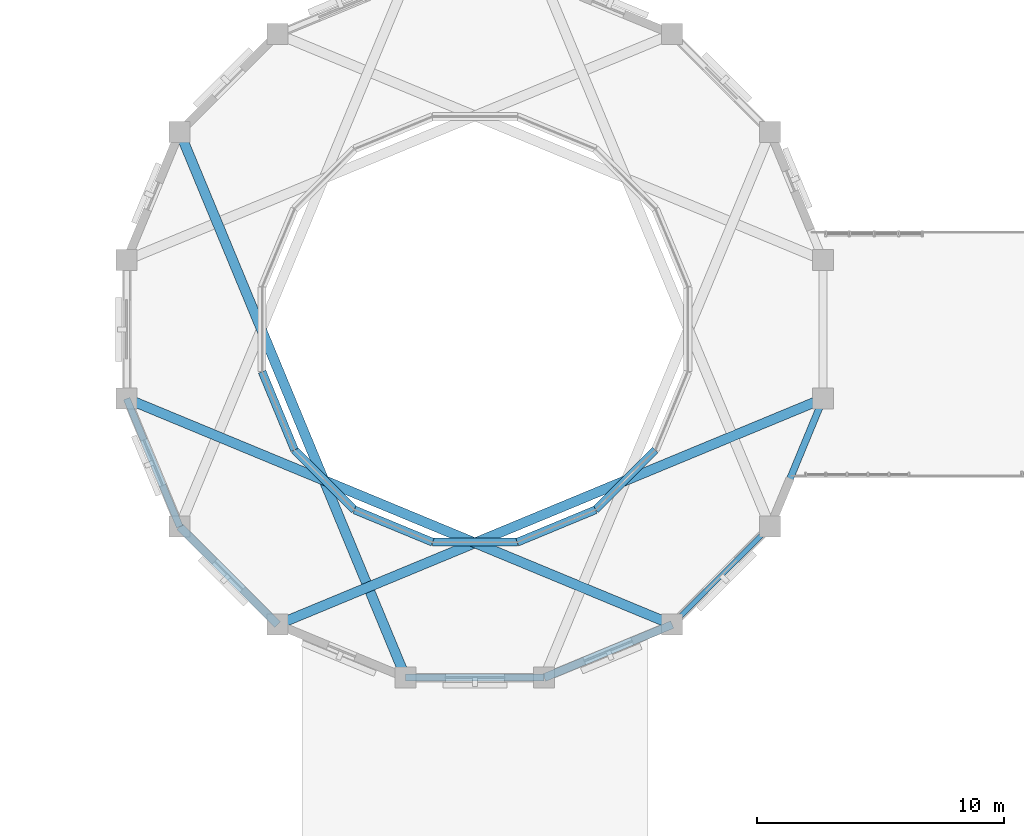
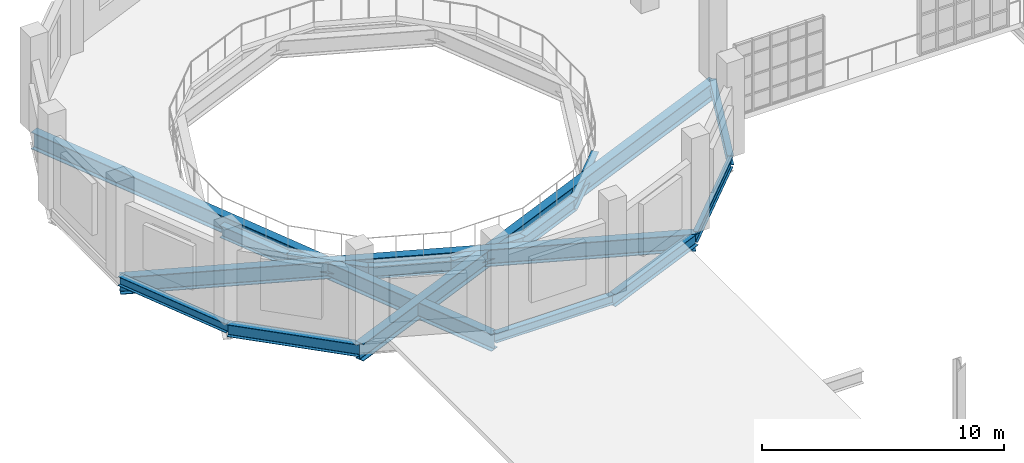
# One storey, part 14 of 122: 15 beams.
"""IFC4 building model written with IfcOpenShell, lengths in metres."""

from ifc_helpers import new_model, si_unit, direction, frame, origin, origin_2d, place, context, subcontext, project, spatial, i_section, extrude, material, material_profile, profile_set, type_object, element, save


model = new_model("IFC4")

# Units and contexts
model_context = context("Model", 3, precision=1e-05, world=origin(), true_north=direction((0.0, 1.0)))
body_context = subcontext(model_context, "Body", "Model", "MODEL_VIEW")
ifc_project = project(units=[si_unit("LENGTHUNIT", "METRE"), si_unit("AREAUNIT", "SQUARE_METRE"), si_unit("VOLUMEUNIT", "CUBIC_METRE"), si_unit("PLANEANGLEUNIT", "RADIAN"), si_unit("MASSUNIT", "GRAM", prefix="KILO"), si_unit("THERMODYNAMICTEMPERATUREUNIT", "KELVIN"), si_unit("POWERUNIT", "WATT")], contexts=[model_context])

# Site, building, storey
site_placement = place(None, origin())
site = spatial("IfcSite", under=ifc_project, at=site_placement, CompositionType="ELEMENT")
building_placement = place(site_placement, origin())
building = spatial("IfcBuilding", under=site, at=building_placement, Name="Zelmaris Science Centre", CompositionType="ELEMENT")
storey_placement = place(building_placement, frame((0.0, 0.0, 10.800048828125)))
storey = spatial("IfcBuildingStorey", under=building, at=storey_placement, Name="L02", CompositionType="ELEMENT", Elevation=10.800048828125)

# Beams
ifc_material = material(Name="Steel ASTM A992 Grade 50", Category="steel")
ifc_material_profile_1 = material_profile(ifc_material, i_section(OverallWidth=0.40087890625, OverallDepth=0.85595703125, WebThickness=0.018310546875, FlangeThickness=0.029296875, FilletRadius=0.02001953125, at=origin_2d()), Name="W33X201")
ifc_profile_set_1 = profile_set([ifc_material_profile_1], Name="Steel ASTM A992 Grade 50")
beam_type_1 = type_object("IfcBeamType", Name="Beam G-05 W33X201", PredefinedType="BEAM", material=ifc_profile_set_1)
for number, where, z_axis, x_axis, name in (
    (1, (15.02685546875, 80.000244140625, -0.68798828125), (0.382681651925, -0.923880269992, 0.0), (0.923880269992, 0.382681651925, 0.0), "L02 Planetarium gallery chord girder 7"),
    (2, (12.876708984375, 69.190673828125, -0.68798828125), (0.923880269992, -0.382681651925, 0.0), (0.382681651925, 0.923880269992, 0.0), "L02 Planetarium gallery chord girder 9"),
    (3, (18.999755859375, 60.02685546875, -0.68798828125), (0.923880269992, 0.382681651925, 0.0), (-0.382681651925, 0.923880269992, 0.0), "L02 Planetarium gallery chord girder 11"),
):
    element("IfcBeam", number, at=place(storey_placement, frame(where, z_axis=z_axis, x_axis=x_axis)), inside=storey, type_object=beam_type_1, Name=name, PredefinedType="BEAM", context=body_context, shape_type="SweptSolid", body=[
        extrude(i_section(OverallWidth=0.40087890625, OverallDepth=0.85595703125, WebThickness=0.018310546875, FlangeThickness=0.029296875, FilletRadius=0.02001953125, at=origin_2d()), origin(), (0.0, 0.0, 1.0), 23.9462890625),
    ])
ifc_material_profile_2 = material_profile(ifc_material, i_section(OverallWidth=0.324951171875, OverallDepth=0.612060546875, WebThickness=0.0126953125, FlangeThickness=0.01904296875, FilletRadius=0.014892578125, at=origin_2d()), Name="W24X104")
ifc_profile_set_2 = profile_set([ifc_material_profile_2], Name="Steel ASTM A992 Grade 50")
beam_type_2 = type_object("IfcBeamType", Name="Beam G-15 W24X104", PredefinedType="BEAM", material=ifc_profile_set_2)
for number, where, z_axis, x_axis, name in (
    (4, (18.369140625, 70.283203125, -0.566162109375), (0.382690908705, -0.923876435675, 0.0), (0.923876435675, 0.382690908705, 0.0), "L02 Planetarium gallery inner ring beam 9"),
    (5, (19.68310546875, 67.111083984375, -0.566162109375), (0.707106781187, -0.707106781187, 0.0), (0.707106781187, 0.707106781187, 0.0), "L02 Planetarium gallery inner ring beam 10"),
    (6, (22.111083984375, 64.68310546875, -0.566162109375), (0.923876435675, -0.382690908705, 0.0), (0.382690908705, 0.923876435675, 0.0), "L02 Planetarium gallery inner ring beam 11"),
    (7, (25.283203125, 63.369140625, -0.566162109375), (1.0, 0.0, 0.0), (0.0, 1.0, 0.0), "L02 Planetarium gallery inner ring beam 12"),
    (8, (28.716796875, 63.369140625, -0.566162109375), (0.923876435675, 0.382690908705, 0.0), (-0.382690908705, 0.923876435675, 0.0), "L02 Planetarium gallery inner ring beam 13"),
    (9, (31.888916015625, 64.68310546875, -0.566162109375), (0.707106781187, 0.707106781187, 0.0), (-0.707106781187, 0.707106781187, 0.0), "L02 Planetarium gallery inner ring beam 14"),
):
    element("IfcBeam", number, at=place(storey_placement, frame(where, z_axis=z_axis, x_axis=x_axis)), inside=storey, type_object=beam_type_2, Name=name, PredefinedType="BEAM", context=body_context, shape_type="SweptSolid", body=[
        extrude(i_section(OverallWidth=0.324951171875, OverallDepth=0.612060546875, WebThickness=0.0126953125, FlangeThickness=0.01904296875, FilletRadius=0.014892578125, at=origin_2d()), origin(), (0.0, 0.0, 1.0), 3.43359375),
    ])
ifc_material_profile_3 = material_profile(ifc_material, i_section(OverallWidth=0.324951171875, OverallDepth=0.612060546875, WebThickness=0.0126953125, FlangeThickness=0.01904296875, FilletRadius=0.014892578125, at=origin_2d()), Name="W24X104")
ifc_profile_set_3 = profile_set([ifc_material_profile_3], Name="Steel ASTM A992 Grade 50")
beam_type_3 = type_object("IfcBeamType", Name="Beam SP-01 W24X104", PredefinedType="SPANDREL", material=ifc_profile_set_3)
beam_1_placement = place(storey_placement, frame((15.02685546875, 63.999755859375, -0.566162109375), z_axis=(0.707106781187, -0.707106781187, 0.0), x_axis=(0.707106781187, 0.707106781187, 0.0)))
element("IfcBeam", 10, at=beam_1_placement, inside=storey, type_object=beam_type_3, Name="L02 Planetarium drum ring beam 10", PredefinedType="SPANDREL", context=body_context, shape_type="SweptSolid", body=[
    extrude(i_section(OverallWidth=0.324951171875, OverallDepth=0.612060546875, WebThickness=0.0126953125, FlangeThickness=0.01904296875, FilletRadius=0.014892578125, at=origin_2d()), origin(), (0.0, 0.0, 1.0), 5.618408203125),
])
beam_2_placement = place(storey_placement, frame((29.809326171875, 57.876708984375, -0.566162109375), z_axis=(0.923879667137, 0.38268310735, 0.0), x_axis=(-0.38268310735, 0.923879667137, 0.0)))
element("IfcBeam", 11, at=beam_2_placement, inside=storey, type_object=beam_type_3, Name="L02 Planetarium drum ring beam 13", PredefinedType="SPANDREL", context=body_context, shape_type="SweptSolid", body=[
    extrude(i_section(OverallWidth=0.324951171875, OverallDepth=0.612060546875, WebThickness=0.0126953125, FlangeThickness=0.01904296875, FilletRadius=0.014892578125, at=origin_2d()), origin(), (0.0, 0.0, 1.0), 5.61865234375),
])
ifc_material_profile_4 = material_profile(ifc_material, i_section(OverallWidth=0.2109375, OverallDepth=0.5380859375, WebThickness=0.01171875, FlangeThickness=0.018798828125, FilletRadius=0.013916015625, at=origin_2d()), Name="W21X73")
ifc_profile_set_4 = profile_set([ifc_material_profile_4], Name="Steel ASTM A992 Grade 50")
beam_type_4 = type_object("IfcBeamType", Name="Beam SP-02 W21X73", PredefinedType="SPANDREL", material=ifc_profile_set_4)
beam_3_placement = place(storey_placement, frame((35.000244140625, 60.02685546875, -0.529052734375), z_axis=(0.707106781187, 0.707106781187, 0.0), x_axis=(-0.707106781187, 0.707106781187, 0.0)))
element("IfcBeam", 12, at=beam_3_placement, inside=storey, type_object=beam_type_4, Name="L02 Planetarium drum ring beam 14", PredefinedType="SPANDREL", context=body_context, shape_type="SweptSolid", body=[
    extrude(i_section(OverallWidth=0.2109375, OverallDepth=0.5380859375, WebThickness=0.01171875, FlangeThickness=0.018798828125, FilletRadius=0.013916015625, at=origin_2d()), origin(), (0.0, 0.0, 1.0), 5.618408203125),
])
ifc_material_profile_5 = material_profile(ifc_material, i_section(OverallWidth=0.279052734375, OverallDepth=0.4619140625, WebThickness=0.0107421875, FlangeThickness=0.017333984375, FilletRadius=0.012939453125, at=origin_2d()), Name="W18X76")
ifc_profile_set_5 = profile_set([ifc_material_profile_5], Name="Steel ASTM A992 Grade 50")
beam_type_5 = type_object("IfcBeamType", Name="Beam SP-03 W18X76", PredefinedType="SPANDREL", material=ifc_profile_set_5)
for number, where, z_axis, x_axis, name in (
    (13, (12.876708984375, 69.190673828125, -0.490966796875), (0.38268310735, -0.923879667137, 0.0), (0.923879667137, 0.38268310735, 0.0), "L02 Planetarium drum ring beam 9"),
    (14, (24.190673828125, 57.876708984375, -0.490966796875), (1.0, 0.0, 0.0), (0.0, 1.0, 0.0), "L02 Planetarium drum ring beam 12"),
    (15, (38.97314453125, 63.999755859375, -0.490966796875), (0.38268310735, 0.923879667137, 0.0), (-0.923879667137, 0.38268310735, 0.0), "L02 Planetarium drum ring beam 15"),
):
    element("IfcBeam", number, at=place(storey_placement, frame(where, z_axis=z_axis, x_axis=x_axis)), inside=storey, type_object=beam_type_5, Name=name, PredefinedType="SPANDREL", context=body_context, shape_type="SweptSolid", body=[
        extrude(i_section(OverallWidth=0.279052734375, OverallDepth=0.4619140625, WebThickness=0.0107421875, FlangeThickness=0.017333984375, FilletRadius=0.012939453125, at=origin_2d()), origin(), (0.0, 0.0, 1.0), 5.61865234375),
    ])

save(model, "model.ifc")
